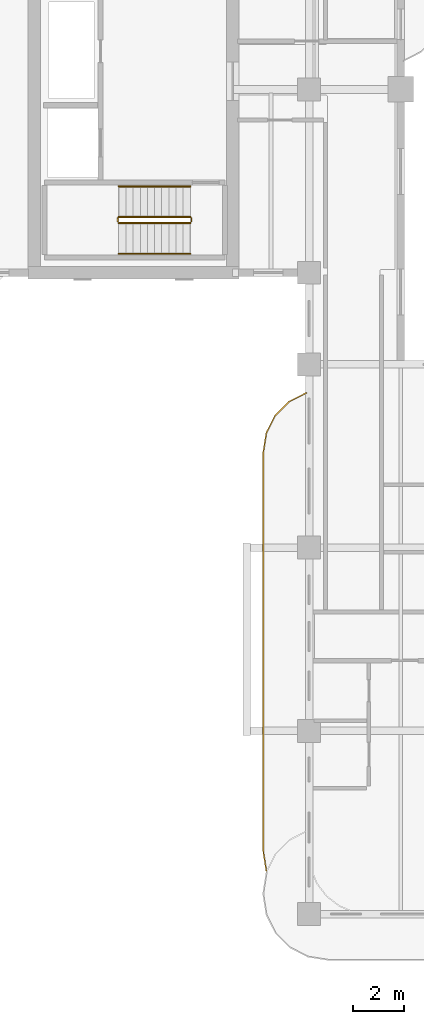
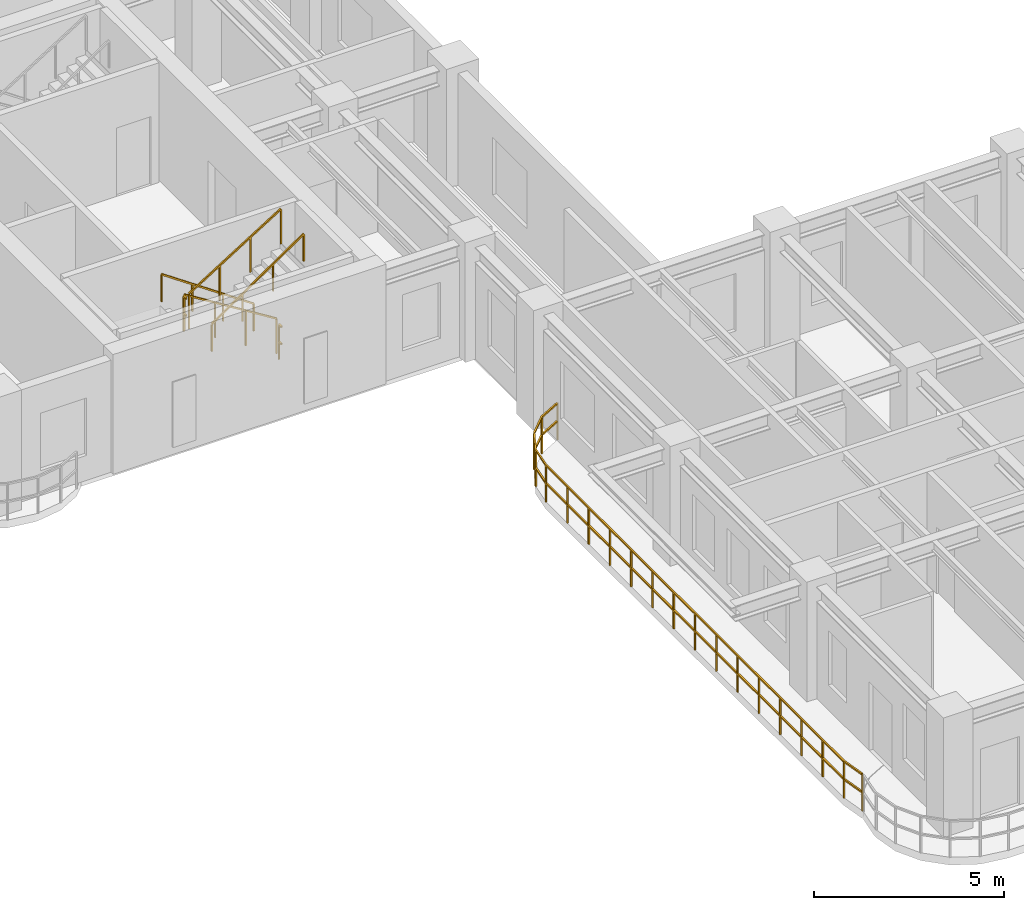
# One storey, part 10 of 14: 7 railings.
"""IFC4 building model written with IfcOpenShell, lengths in metres."""

from ifc_helpers import new_model, si_unit, derived_unit, direction, frame, origin, origin_2d, place, context, subcontext, project, spatial, rectangle, extrude, material, type_object, element, save


model = new_model("IFC4")

# Units and contexts
model_context = context("Model", 3, precision=1e-05, world=origin(), true_north=direction((0.0, 1.0)))
body_context = subcontext(model_context, "Body", "Model", "MODEL_VIEW")
ifc_project = project(units=[si_unit("LENGTHUNIT", "METRE"), si_unit("AREAUNIT", "SQUARE_METRE"), si_unit("VOLUMEUNIT", "CUBIC_METRE"), si_unit("PLANEANGLEUNIT", "RADIAN"), si_unit("MASSUNIT", "GRAM", prefix="KILO"), si_unit("THERMODYNAMICTEMPERATUREUNIT", "KELVIN"), si_unit("POWERUNIT", "WATT"), derived_unit("THERMALTRANSMITTANCEUNIT", [(si_unit("POWERUNIT", "WATT"), 1), (si_unit("AREAUNIT", "SQUARE_METRE"), -1), (si_unit("THERMODYNAMICTEMPERATUREUNIT", "KELVIN"), -1)])], contexts=[model_context])

# Site, building, storey
site_placement = place(None, origin())
site = spatial("IfcSite", under=ifc_project, at=site_placement, CompositionType="ELEMENT")
building_placement = place(site_placement, origin())
building = spatial("IfcBuilding", under=site, at=building_placement, Name="Zahravan Archway Hotel and Residences", CompositionType="ELEMENT")
storey_placement = place(building_placement, frame((0.0, 0.0, 205.75)))
storey = spatial("IfcBuildingStorey", under=building, at=storey_placement, Name="L51", CompositionType="ELEMENT", Elevation=205.75)

# Railings
ifc_material_1 = material(Name="Bronze & Laminated Glass Balustrade", Category="glass")
railing_type_1 = type_object("IfcRailingType", Name="RL-BAL-1200", PredefinedType="BALUSTRADE", material=ifc_material_1)
railing_1_placement = place(storey_placement, frame((12.719970703125, 1.69287109375, 0.0)))
element("IfcRailing", 1, at=railing_1_placement, inside=storey, type_object=railing_type_1, Name="L51 Balustrade RL-SLB-BAL-L51-WA-1", PredefinedType="BALUSTRADE", context=body_context, shape_type="SweptSolid", body=[
    extrude(rectangle(XDim=0.048095703125, YDim=0.048095703125, at=origin_2d()), frame((0.0, 0.0, 1.17578125), z_axis=(-0.156387811283, 0.987695728695, 0.0), x_axis=(-0.987695728695, -0.156387811283, 0.0)), (0.0, 0.0, 1.0), 0.7666015625),
    extrude(rectangle(XDim=0.048095703125, YDim=0.048095703125, at=origin_2d()), frame((0.0, 0.0, 0.60009765625), z_axis=(-0.156387811283, 0.987695728695, 0.0), x_axis=(-0.987695728695, -0.156387811283, 0.0)), (0.0, 0.0, 1.0), 0.7666015625),
    extrude(rectangle(XDim=0.048095703125, YDim=0.048095703125, at=origin_2d()), frame((-0.119873046875, 0.757080078125, 1.17578125), z_axis=(0.0, 1.0, 0.0), x_axis=(-1.0, 0.0, 0.0)), (0.0, 0.0, 1.0), 15.699951171875),
    extrude(rectangle(XDim=0.048095703125, YDim=0.048095703125, at=origin_2d()), frame((-0.119873046875, 0.757080078125, 0.60009765625), z_axis=(0.0, 1.0, 0.0), x_axis=(-1.0, 0.0, 0.0)), (0.0, 0.0, 1.0), 15.699951171875),
    extrude(rectangle(XDim=0.048095703125, YDim=0.048095703125, at=origin_2d()), frame((-0.119873046875, 16.45703125, 1.17578125), z_axis=(0.156387811283, 0.987695728695, 0.0), x_axis=(-0.987695728695, 0.156387811283, 0.0)), (0.0, 0.0, 1.0), 0.7666015625),
    extrude(rectangle(XDim=0.048095703125, YDim=0.048095703125, at=origin_2d()), frame((-0.119873046875, 16.45703125, 0.60009765625), z_axis=(0.156387811283, 0.987695728695, 0.0), x_axis=(-0.987695728695, 0.156387811283, 0.0)), (0.0, 0.0, 1.0), 0.7666015625),
    extrude(rectangle(XDim=0.048095703125, YDim=0.048095703125, at=origin_2d()), frame((0.0, 17.214111328125, 1.17578125), z_axis=(0.453825591531, 0.891090529897, 0.0), x_axis=(-0.891090529897, 0.453825591531, 0.0)), (0.0, 0.0, 1.0), 0.7666015625),
    extrude(rectangle(XDim=0.048095703125, YDim=0.048095703125, at=origin_2d()), frame((0.0, 17.214111328125, 0.60009765625), z_axis=(0.453825591531, 0.891090529897, 0.0), x_axis=(-0.891090529897, 0.453825591531, 0.0)), (0.0, 0.0, 1.0), 0.7666015625),
    extrude(rectangle(XDim=0.048095703125, YDim=0.048095703125, at=origin_2d()), frame((0.347900390625, 17.897216796875, 1.17578125), z_axis=(0.707106781187, 0.707106781187, 0.0), x_axis=(-0.707106781187, 0.707106781187, 0.0)), (0.0, 0.0, 1.0), 0.7666015625),
    extrude(rectangle(XDim=0.048095703125, YDim=0.048095703125, at=origin_2d()), frame((0.347900390625, 17.897216796875, 0.60009765625), z_axis=(0.707106781187, 0.707106781187, 0.0), x_axis=(-0.707106781187, 0.707106781187, 0.0)), (0.0, 0.0, 1.0), 0.7666015625),
    extrude(rectangle(XDim=0.048095703125, YDim=0.048095703125, at=origin_2d()), frame((0.889892578125, 18.439208984375, 1.17578125), z_axis=(0.891090529897, 0.453825591531, 0.0), x_axis=(-0.453825591531, 0.891090529897, 0.0)), (0.0, 0.0, 1.0), 0.7666015625),
    extrude(rectangle(XDim=0.048095703125, YDim=0.048095703125, at=origin_2d()), frame((0.889892578125, 18.439208984375, 0.60009765625), z_axis=(0.891090529897, 0.453825591531, 0.0), x_axis=(-0.453825591531, 0.891090529897, 0.0)), (0.0, 0.0, 1.0), 0.7666015625),
    extrude(rectangle(XDim=0.0419921875, YDim=0.0419921875, at=origin_2d()), origin(), (0.0, 0.0, 1.0), 1.15185546875),
    extrude(rectangle(XDim=0.0419921875, YDim=0.0419921875, at=origin_2d()), frame((-0.119873046875, 0.757080078125, 0.0)), (0.0, 0.0, 1.0), 1.15185546875),
    extrude(rectangle(XDim=0.0419921875, YDim=0.0419921875, at=origin_2d()), frame((-0.119873046875, 1.87841796875, 0.0)), (0.0, 0.0, 1.0), 1.15185546875),
    extrude(rectangle(XDim=0.0419921875, YDim=0.0419921875, at=origin_2d()), frame((-0.119873046875, 3.0, 0.0)), (0.0, 0.0, 1.0), 1.15185546875),
    extrude(rectangle(XDim=0.0419921875, YDim=0.0419921875, at=origin_2d()), frame((-0.119873046875, 4.121337890625, 0.0)), (0.0, 0.0, 1.0), 1.15185546875),
    extrude(rectangle(XDim=0.0419921875, YDim=0.0419921875, at=origin_2d()), frame((-0.119873046875, 5.24267578125, 0.0)), (0.0, 0.0, 1.0), 1.15185546875),
    extrude(rectangle(XDim=0.0419921875, YDim=0.0419921875, at=origin_2d()), frame((-0.119873046875, 6.3642578125, 0.0)), (0.0, 0.0, 1.0), 1.15185546875),
    extrude(rectangle(XDim=0.0419921875, YDim=0.0419921875, at=origin_2d()), frame((-0.119873046875, 7.485595703125, 0.0)), (0.0, 0.0, 1.0), 1.15185546875),
    extrude(rectangle(XDim=0.0419921875, YDim=0.0419921875, at=origin_2d()), frame((-0.119873046875, 8.60693359375, 0.0)), (0.0, 0.0, 1.0), 1.15185546875),
    extrude(rectangle(XDim=0.0419921875, YDim=0.0419921875, at=origin_2d()), frame((-0.119873046875, 9.728515625, 0.0)), (0.0, 0.0, 1.0), 1.15185546875),
    extrude(rectangle(XDim=0.0419921875, YDim=0.0419921875, at=origin_2d()), frame((-0.119873046875, 10.849853515625, 0.0)), (0.0, 0.0, 1.0), 1.15185546875),
    extrude(rectangle(XDim=0.0419921875, YDim=0.0419921875, at=origin_2d()), frame((-0.119873046875, 11.971435546875, 0.0)), (0.0, 0.0, 1.0), 1.15185546875),
    extrude(rectangle(XDim=0.0419921875, YDim=0.0419921875, at=origin_2d()), frame((-0.119873046875, 13.0927734375, 0.0)), (0.0, 0.0, 1.0), 1.15185546875),
    extrude(rectangle(XDim=0.0419921875, YDim=0.0419921875, at=origin_2d()), frame((-0.119873046875, 14.214111328125, 0.0)), (0.0, 0.0, 1.0), 1.15185546875),
    extrude(rectangle(XDim=0.0419921875, YDim=0.0419921875, at=origin_2d()), frame((-0.119873046875, 15.335693359375, 0.0)), (0.0, 0.0, 1.0), 1.15185546875),
    extrude(rectangle(XDim=0.0419921875, YDim=0.0419921875, at=origin_2d()), frame((-0.119873046875, 16.45703125, 0.0)), (0.0, 0.0, 1.0), 1.15185546875),
    extrude(rectangle(XDim=0.0419921875, YDim=0.0419921875, at=origin_2d()), frame((0.0, 17.214111328125, 0.0)), (0.0, 0.0, 1.0), 1.15185546875),
    extrude(rectangle(XDim=0.0419921875, YDim=0.0419921875, at=origin_2d()), frame((0.347900390625, 17.897216796875, 0.0)), (0.0, 0.0, 1.0), 1.15185546875),
    extrude(rectangle(XDim=0.0419921875, YDim=0.0419921875, at=origin_2d()), frame((0.889892578125, 18.439208984375, 0.0)), (0.0, 0.0, 1.0), 1.15185546875),
    extrude(rectangle(XDim=0.0419921875, YDim=0.0419921875, at=origin_2d()), frame((1.572998046875, 18.787109375, 0.0)), (0.0, 0.0, 1.0), 1.15185546875),
])
ifc_material_2 = material(Name="Painted Tubular Steel", Category="steel")
railing_type_2 = type_object("IfcRailingType", Name="RL-STG-1150", PredefinedType="GUARDRAIL", material=ifc_material_2)
railing_2_placement = place(storey_placement, frame((9.72998046875, 27.389892578125, 0.175048828125)))
element("IfcRailing", 2, at=railing_2_placement, inside=storey, type_object=railing_type_2, Name="L51 ST-B1 stair guard 1", PredefinedType="GUARDRAIL", context=body_context, shape_type="SweptSolid", body=[
    extrude(rectangle(XDim=0.048095703125, YDim=0.048095703125, at=origin_2d()), frame((0.0, 0.0, 1.1259765625), z_axis=(-0.848002457836, 0.0, 0.529992293815), x_axis=(0.0, -1.0, 0.0)), (0.0, 0.0, 1.0), 3.302001953125),
    extrude(rectangle(XDim=0.0419921875, YDim=0.0419921875, at=origin_2d()), origin(), (0.0, 0.0, 1.0), 1.101806640625),
    extrude(rectangle(XDim=0.0419921875, YDim=0.0419921875, at=origin_2d()), frame((-0.933349609375, 0.0, 0.583251953125)), (0.0, 0.0, 1.0), 1.101806640625),
    extrude(rectangle(XDim=0.0419921875, YDim=0.0419921875, at=origin_2d()), frame((-1.86669921875, 0.0, 1.166748046875)), (0.0, 0.0, 1.0), 1.101806640625),
    extrude(rectangle(XDim=0.0419921875, YDim=0.0419921875, at=origin_2d()), frame((-2.800048828125, 0.0, 1.75)), (0.0, 0.0, 1.0), 1.101806640625),
])
railing_3_placement = place(storey_placement, frame((6.8798828125, 27.340087890625, 1.925048828125)))
element("IfcRailing", 3, at=railing_3_placement, inside=storey, type_object=railing_type_2, Name="L51 ST-B1 stair guard 2", PredefinedType="GUARDRAIL", context=body_context, shape_type="SweptSolid", body=[
    extrude(rectangle(XDim=0.048095703125, YDim=0.048095703125, at=origin_2d()), frame((0.0, 0.0, 1.1259765625), z_axis=(0.0, -1.0, 0.0), x_axis=(1.0, 0.0, 0.0)), (0.0, 0.0, 1.0), 0.14013671875),
    extrude(rectangle(XDim=0.048095703125, YDim=0.048095703125, at=origin_2d()), frame((0.0, 0.0, 0.574951171875), z_axis=(0.0, -1.0, 0.0), x_axis=(1.0, 0.0, 0.0)), (0.0, 0.0, 1.0), 0.14013671875),
    extrude(rectangle(XDim=0.0419921875, YDim=0.0419921875, at=origin_2d()), origin(), (0.0, 0.0, 1.0), 1.101806640625),
])
railing_4_placement = place(storey_placement, frame((6.929931640625, 27.14990234375, 2.10009765625)))
element("IfcRailing", 4, at=railing_4_placement, inside=storey, type_object=railing_type_2, Name="L51 ST-B1 stair guard 3", PredefinedType="GUARDRAIL", context=body_context, shape_type="SweptSolid", body=[
    extrude(rectangle(XDim=0.048095703125, YDim=0.048095703125, at=origin_2d()), frame((0.0, 0.0, 1.1259765625), z_axis=(0.848002457836, 0.0, 0.529992293815), x_axis=(0.0, 1.0, 0.0)), (0.0, 0.0, 1.0), 3.302001953125),
    extrude(rectangle(XDim=0.0419921875, YDim=0.0419921875, at=origin_2d()), origin(), (0.0, 0.0, 1.0), 1.101806640625),
    extrude(rectangle(XDim=0.0419921875, YDim=0.0419921875, at=origin_2d()), frame((0.933349609375, 0.0, 0.583251953125)), (0.0, 0.0, 1.0), 1.101806640625),
    extrude(rectangle(XDim=0.0419921875, YDim=0.0419921875, at=origin_2d()), frame((1.86669921875, 0.0, 1.166748046875)), (0.0, 0.0, 1.0), 1.101806640625),
    extrude(rectangle(XDim=0.0419921875, YDim=0.0419921875, at=origin_2d()), frame((2.800048828125, 0.0, 1.75)), (0.0, 0.0, 1.0), 1.101806640625),
])
railing_5_placement = place(storey_placement, frame((9.780029296875, 27.340087890625, 0.0)))
element("IfcRailing", 5, at=railing_5_placement, inside=storey, type_object=railing_type_2, Name="L51 ST-B1 stair guard 4", PredefinedType="GUARDRAIL", context=body_context, shape_type="SweptSolid", body=[
    extrude(rectangle(XDim=0.048095703125, YDim=0.048095703125, at=origin_2d()), frame((0.0, 0.0, 1.1259765625), z_axis=(0.0, -1.0, 0.0), x_axis=(1.0, 0.0, 0.0)), (0.0, 0.0, 1.0), 0.14013671875),
    extrude(rectangle(XDim=0.048095703125, YDim=0.048095703125, at=origin_2d()), frame((0.0, 0.0, 0.574951171875), z_axis=(0.0, -1.0, 0.0), x_axis=(1.0, 0.0, 0.0)), (0.0, 0.0, 1.0), 0.14013671875),
    extrude(rectangle(XDim=0.0419921875, YDim=0.0419921875, at=origin_2d()), origin(), (0.0, 0.0, 1.0), 1.101806640625),
])
ifc_material_3 = material(Name="Brushed Stainless Steel", Category="steel")
railing_type_3 = type_object("IfcRailingType", Name="RL-STH-900", PredefinedType="HANDRAIL", material=ifc_material_3)
railing_6_placement = place(storey_placement, frame((9.72998046875, 28.590087890625, 0.175048828125)))
element("IfcRailing", 6, at=railing_6_placement, inside=storey, type_object=railing_type_3, Name="L51 ST-B1 stair handrail 1", PredefinedType="HANDRAIL", context=body_context, shape_type="SweptSolid", body=[
    extrude(rectangle(XDim=0.048095703125, YDim=0.048095703125, at=origin_2d()), frame((0.0, 0.0, 0.8759765625), z_axis=(-0.824039827795, 0.0, 0.566531872191), x_axis=(0.0, -1.0, 0.0)), (0.0, 0.0, 1.0), 3.39794921875),
    extrude(rectangle(XDim=0.0419921875, YDim=0.0419921875, at=origin_2d()), origin(), (0.0, 0.0, 1.0), 0.851806640625),
    extrude(rectangle(XDim=0.0419921875, YDim=0.0419921875, at=origin_2d()), frame((-0.933349609375, 0.0, 0.6416015625)), (0.0, 0.0, 1.0), 0.851806640625),
    extrude(rectangle(XDim=0.0419921875, YDim=0.0419921875, at=origin_2d()), frame((-1.86669921875, 0.0, 1.283447265625)), (0.0, 0.0, 1.0), 0.851806640625),
    extrude(rectangle(XDim=0.0419921875, YDim=0.0419921875, at=origin_2d()), frame((-2.800048828125, 0.0, 1.925048828125)), (0.0, 0.0, 1.0), 0.851806640625),
])
railing_7_placement = place(storey_placement, frame((6.929931640625, 25.949951171875, 2.10009765625)))
element("IfcRailing", 7, at=railing_7_placement, inside=storey, type_object=railing_type_3, Name="L51 ST-B1 stair handrail 2", PredefinedType="HANDRAIL", context=body_context, shape_type="SweptSolid", body=[
    extrude(rectangle(XDim=0.048095703125, YDim=0.048095703125, at=origin_2d()), frame((0.0, 0.0, 0.8759765625), z_axis=(0.824073370198, 0.0, 0.566483080534), x_axis=(0.0, 1.0, 0.0)), (0.0, 0.0, 1.0), 3.397705078125),
    extrude(rectangle(XDim=0.0419921875, YDim=0.0419921875, at=origin_2d()), origin(), (0.0, 0.0, 1.0), 0.851806640625),
    extrude(rectangle(XDim=0.0419921875, YDim=0.0419921875, at=origin_2d()), frame((0.933349609375, 0.0, 0.6416015625)), (0.0, 0.0, 1.0), 0.851806640625),
    extrude(rectangle(XDim=0.0419921875, YDim=0.0419921875, at=origin_2d()), frame((1.86669921875, 0.0, 1.283203125)), (0.0, 0.0, 1.0), 0.851806640625),
    extrude(rectangle(XDim=0.0419921875, YDim=0.0419921875, at=origin_2d()), frame((2.800048828125, 0.0, 1.9248046875)), (0.0, 0.0, 1.0), 0.851806640625),
])

save(model, "model.ifc")
